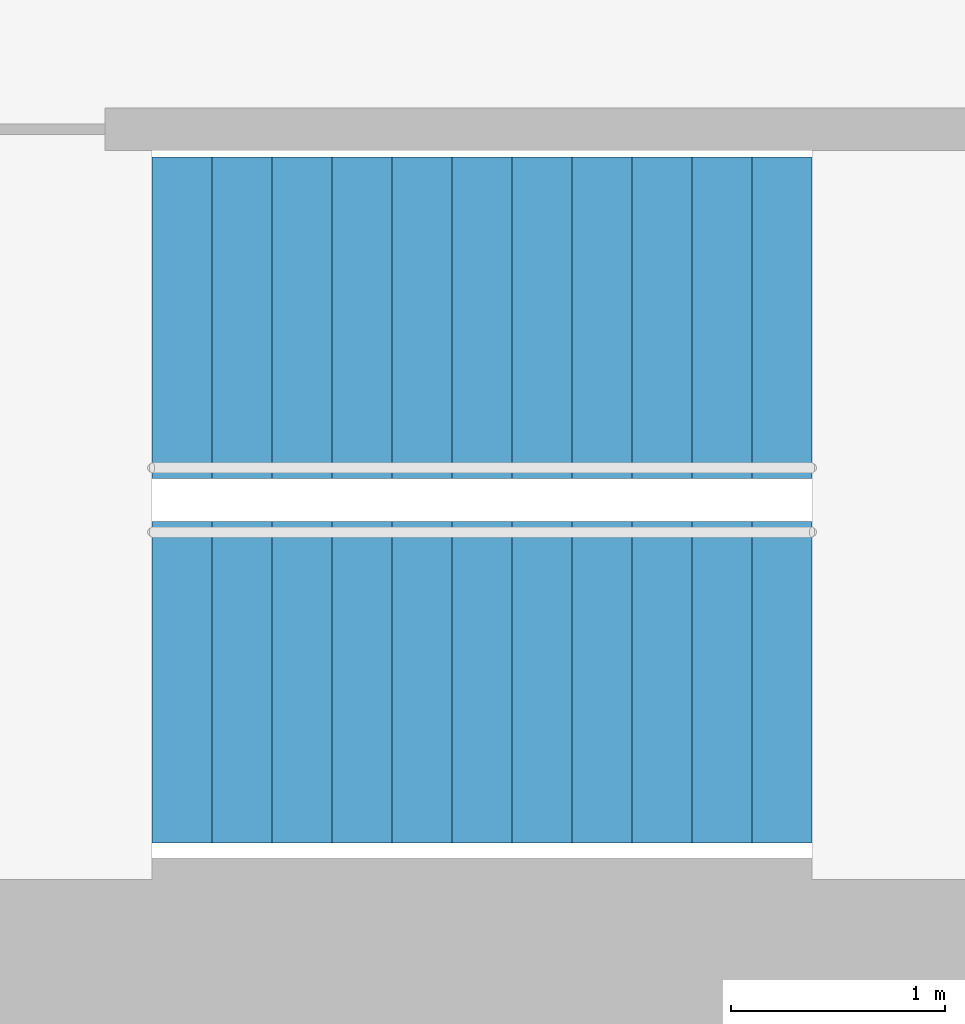
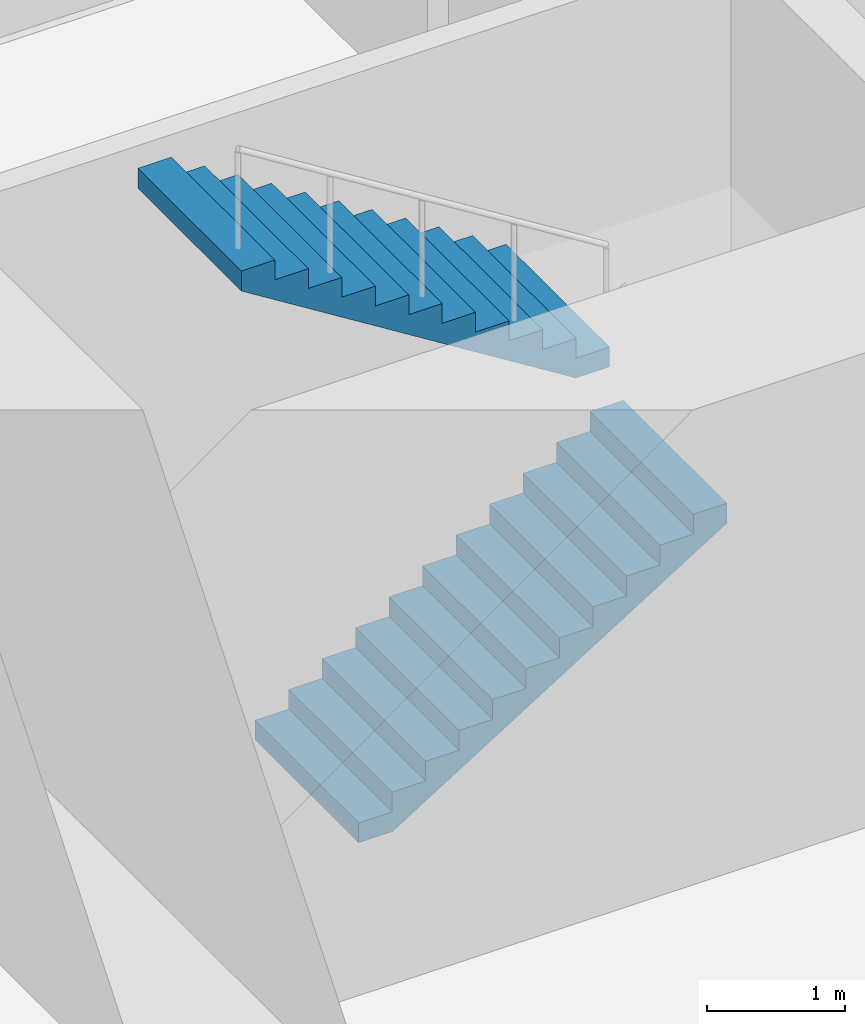
# One storey, part 16 of 18: 2 stair flights, 1 element without a shape of its own.
"""IFC4 building model written with IfcOpenShell, lengths in metres."""

import ifcopenshell
import ifcopenshell.guid

model = None  # the IFC model being written
_history = None  # IfcOwnerHistory: only IFC2X3 demands one
_inside = {}  # id of a spatial element -> (the spatial element, [elements in it])
_under = {}  # id of a project, library or spatial element -> (it, [spatial elements below it])
_declared = {}  # id of a project -> (the project, [libraries it declares])
_typed = {}  # id of a type object -> (the type object, [elements of that type])
_made_of = {}  # id of a material, layer set ... -> (it, [elements and type objects made of it])


def new_model(schema):
    """Start an empty IFC model of exactly this schema.

    Asked for "IFC4X3", IfcOpenShell would pick the latest addendum, in which some entities
    have other attributes; the version numbers below select the first issue.
    IFC2X3 requires an IfcOwnerHistory on every rooted entity: one is made here for all.
    """
    global model, _history
    if schema == "IFC4X3":
        model = ifcopenshell.file(schema_version=(4, 3, 0, 0))
    else:
        model = ifcopenshell.file(schema=schema)
    _inside.clear()
    _under.clear()
    _declared.clear()
    _typed.clear()
    _made_of.clear()
    _history = None
    if model.schema == "IFC2X3":
        org = make("IfcOrganization", Name="unknown")
        user = make(
            "IfcPersonAndOrganization",
            ThePerson=make("IfcPerson", FamilyName="unknown"),
            TheOrganization=org,
        )
        app = make(
            "IfcApplication",
            ApplicationDeveloper=org,
            Version="unknown",
            ApplicationFullName="unknown",
            ApplicationIdentifier="unknown",
        )
        _history = make(
            "IfcOwnerHistory",
            OwningUser=user,
            OwningApplication=app,
            ChangeAction="ADDED",
            CreationDate=0,
        )
    return model


def make(cls, **values):
    """One entity of the class cls with the attributes given. An attribute that is None is left unset."""
    return model.create_entity(
        cls, **{name: value for name, value in values.items() if value is not None}
    )


def rooted(cls, **values):
    """An entity with a GlobalId (a new one), such as an element, a storey or a relation."""
    return make(cls, GlobalId=ifcopenshell.guid.new(), OwnerHistory=_history, **values)


def si_unit(unit_type, name, prefix=None):
    """IfcSIUnit, for example si_unit("LENGTHUNIT", "METRE", prefix="MILLI")."""
    return make("IfcSIUnit", UnitType=unit_type, Prefix=prefix, Name=name)


def assignment(units):
    """IfcUnitAssignment: the units of a project."""
    return None if units is None else make("IfcUnitAssignment", Units=units)


def point(xyz):
    """IfcCartesianPoint."""
    return None if xyz is None else make("IfcCartesianPoint", Coordinates=xyz)


def direction(xyz):
    """IfcDirection."""
    return None if xyz is None else make("IfcDirection", DirectionRatios=xyz)


def frame(location, z_axis=None, x_axis=None):
    """IfcAxis2Placement3D, a coordinate frame: its origin and axes. An axis left out is left unset."""
    return make(
        "IfcAxis2Placement3D",
        Location=point(location),
        Axis=direction(z_axis),
        RefDirection=direction(x_axis),
    )


def origin():
    """The frame at (0, 0, 0) with its axes left unset."""
    return frame((0.0, 0.0, 0.0))


def place(relative_to, where):
    """IfcLocalPlacement: puts the frame where relative to a parent placement (None: the world)."""
    return make(
        "IfcLocalPlacement", PlacementRelTo=relative_to, RelativePlacement=where
    )


def context(
    kind, dimensions, precision=None, world=None, true_north=None, identifier=None
):
    """IfcGeometricRepresentationContext, for example the 3D "Model" context."""
    return make(
        "IfcGeometricRepresentationContext",
        ContextIdentifier=identifier,
        ContextType=kind,
        CoordinateSpaceDimension=dimensions,
        Precision=precision,
        WorldCoordinateSystem=world,
        TrueNorth=true_north,
    )


def subcontext(parent, identifier, kind, view, scale=None):
    """IfcGeometricRepresentationSubContext, for example "Body" below "Model"."""
    return make(
        "IfcGeometricRepresentationSubContext",
        ContextIdentifier=identifier,
        ContextType=kind,
        ParentContext=parent,
        TargetScale=scale,
        TargetView=view,
    )


def project(units=None, contexts=None):
    """IfcProject with its units and contexts."""
    return rooted(
        "IfcProject",
        Name="project",
        RepresentationContexts=contexts,
        UnitsInContext=assignment(units),
    )


def spatial(cls, under=None, at=None, **own):
    """A site, building, storey or space (cls), placed at a placement, below another one or the project."""
    s = rooted(cls, ObjectPlacement=at, **own)
    if under is not None:
        _under.setdefault(under.id(), (under, []))[1].append(s)
    return s


def point_list(points):
    """IfcCartesianPointList2D or 3D."""
    cls = (
        "IfcCartesianPointList2D" if len(points[0]) == 2 else "IfcCartesianPointList3D"
    )
    return make(cls, CoordList=points)


def triangles(points, corners, closed=None, point_numbers=None):
    """IfcTriangulatedFaceSet: each triangle names its three corners, points numbered from 1."""
    return make(
        "IfcTriangulatedFaceSet",
        Coordinates=point_list(points),
        Closed=closed,
        CoordIndex=corners,
        PnIndex=point_numbers,
    )


def shape(context_of_items, identifier, shape_type, items):
    """IfcShapeRepresentation: the items that make up one representation, for example the "Body"."""
    return make(
        "IfcShapeRepresentation",
        ContextOfItems=context_of_items,
        RepresentationIdentifier=identifier,
        RepresentationType=shape_type,
        Items=items,
    )


def material(Name=None, Category=None):
    """IfcMaterial."""
    return make("IfcMaterial", Name=Name, Category=Category)


def made_of(thing, what):
    """Note that an element or type object is made of a material, layer set ...; save() writes the relation."""
    if what is not None:
        _made_of.setdefault(what.id(), (what, []))[1].append(thing)
    return thing


def type_object(cls, material=None, **own):
    """A type object (cls), such as IfcWallType, which elements share."""
    return made_of(rooted(cls, **own), material)


def element(
    cls,
    number,
    at=None,
    inside=None,
    cuts=None,
    type_object=None,
    material=None,
    context=None,
    identifier="Body",
    shape_type=None,
    held_by="IfcProductDefinitionShape",
    body=None,
    shapes=None,
    **own,
):
    """One element of the class cls, such as IfcWall. Its Tag is "e" and its number.

    at: its placement. inside: the storey or other place that contains it. cuts: it is an
    opening in that element (IfcRelVoidsElement). A single representation is given by context,
    identifier, shape_type and body (its items); several are given by shapes. held_by: the class
    of the entity that holds the representations. save() writes the other relations.
    """
    e = rooted(cls, Tag="e%d" % number, ObjectPlacement=at, **own)
    if body is not None:
        shapes = [shape(context, identifier, shape_type, body)]
    if shapes is not None:
        e.Representation = make(held_by, Representations=shapes)
    if inside is not None:
        _inside.setdefault(inside.id(), (inside, []))[1].append(e)
    if cuts is not None:
        rooted(
            "IfcRelVoidsElement", RelatingBuildingElement=cuts, RelatedOpeningElement=e
        )
    if type_object is not None:
        _typed.setdefault(type_object.id(), (type_object, []))[1].append(e)
    return made_of(e, material)


def aggregate(whole, parts):
    """IfcRelAggregates: a whole, such as a stair, and the parts it consists of."""
    return rooted("IfcRelAggregates", RelatingObject=whole, RelatedObjects=parts)


def save(model, path):
    """Write the relations noted so far, then the file.

    IfcRelAggregates (storeys below a building ...), IfcRelContainedInSpatialStructure (elements
    in a storey), IfcRelDefinesByType, IfcRelAssociatesMaterial and IfcRelDeclares: one each for
    every whole, place, type object, material and project.
    """
    for whole, parts in _under.values():
        aggregate(whole, parts)
    for where, things in _inside.values():
        rooted(
            "IfcRelContainedInSpatialStructure",
            RelatedElements=things,
            RelatingStructure=where,
        )
    for kind, things in _typed.values():
        rooted("IfcRelDefinesByType", RelatedObjects=things, RelatingType=kind)
    for what, things in _made_of.values():
        rooted("IfcRelAssociatesMaterial", RelatedObjects=things, RelatingMaterial=what)
    for by, libraries in _declared.values():
        rooted("IfcRelDeclares", RelatingContext=by, RelatedDefinitions=libraries)
    model.write(path)


model = new_model("IFC4")

# Units and contexts
model_context = context("Model", 3, precision=1e-05, world=origin(), true_north=direction((0.0, 1.0)))
body_context = subcontext(model_context, "Body", "Model", "MODEL_VIEW")
ifc_project = project(units=[si_unit("LENGTHUNIT", "METRE"), si_unit("AREAUNIT", "SQUARE_METRE"), si_unit("VOLUMEUNIT", "CUBIC_METRE"), si_unit("PLANEANGLEUNIT", "RADIAN"), si_unit("MASSUNIT", "GRAM", prefix="KILO")], contexts=[model_context])

# Site, building, storey
site_placement = place(None, origin())
site = spatial("IfcSite", under=ifc_project, at=site_placement, CompositionType="ELEMENT")
building_placement = place(site_placement, origin())
building = spatial("IfcBuilding", under=site, at=building_placement, Name="Lantaw Convention Tower", CompositionType="ELEMENT")
storey_placement = place(building_placement, frame((0.0, 0.0, 146.800048828125)))
storey = spatial("IfcBuildingStorey", under=building, at=storey_placement, Name="L34", CompositionType="ELEMENT", Elevation=146.800048828125)

# Stair, stair flights
ifc_material = material(Name="Concrete C35/45", Category="concrete")
stair_type = type_object("IfcStairType", Name="Exit stair 1500 riser 175 in 2 flights", PredefinedType="HALF_TURN_STAIR", material=ifc_material)
stair_placement = place(storey_placement, origin())
stair = element("IfcStair", 1, at=stair_placement, inside=storey, type_object=stair_type, Name="Exit stair S1 L34", PredefinedType="HALF_TURN_STAIR")
stair_flight_type = type_object("IfcStairFlightType", Name="Stair flight 1500 riser 175", PredefinedType="STRAIGHT", material=ifc_material)
stair_flight_1_placement = place(storey_placement, frame((-10.580078125, -5.97998046875, 0.0), z_axis=(0.0, 0.0, 1.0), x_axis=(1.0, 0.0, 0.0)))
stair_flight_1 = element("IfcStairFlight", 2, at=stair_flight_1_placement, type_object=stair_flight_type, Name="S1 flight 1", NumberOfRisers=12, NumberOfTreads=11, PredefinedType="STRAIGHT", RiserHeight=0.175, TreadLength=0.28, context=body_context, shape_type="Tessellation", body=[
    triangles([(0.0, 0.75, 0.0), (0.0, 0.75, 0.175), (0.28, 0.75, 0.0), (0.28, 0.75, 0.175), (0.28, 0.75, 0.35), (0.28283517651771284, 0.75, 0.0), (0.28283517651771284, 0.75, 0.35), (0.56, 0.75, 0.17322801467642948), (0.56, 0.75, 0.35), (0.56, 0.75, 0.5249999999999999), (0.8400000000000001, 0.75, 0.34822801467642944), (0.8400000000000001, 0.75, 0.5249999999999999), (0.8400000000000001, 0.75, 0.7), (1.12, 0.75, 0.5232280146764294), (1.12, 0.75, 0.7), (1.12, 0.75, 0.875), (1.4000000000000001, 0.75, 0.6982280146764295), (1.4000000000000001, 0.75, 0.875), (1.4000000000000001, 0.75, 1.0499999999999998), (1.6800000000000002, 0.75, 0.8732280146764294), (1.6800000000000002, 0.75, 1.0499999999999998), (1.6800000000000002, 0.75, 1.2249999999999999), (1.9600000000000002, 0.75, 1.0482280146764293), (1.9600000000000002, 0.75, 1.2249999999999999), (1.9600000000000002, 0.75, 1.4), (2.24, 0.75, 1.2232280146764294), (2.24, 0.75, 1.4), (2.24, 0.75, 1.575), (2.5200000000000005, 0.75, 1.3982280146764294), (2.5200000000000005, 0.75, 1.575), (2.5200000000000005, 0.75, 1.75), (2.8000000000000003, 0.75, 1.5732280146764293), (2.8000000000000003, 0.75, 1.75), (2.8000000000000003, 0.75, 1.9249999999999998), (3.08, 0.75, 1.7482280146764293), (3.08, 0.75, 1.9249999999999998), (0.0, -0.75, 0.0), (0.0, -0.75, 0.175), (0.28, -0.75, 0.0), (0.28, -0.75, 0.175), (0.28, -0.75, 0.35), (0.28283517651771284, -0.75, 0.0), (0.28283517651771284, -0.75, 0.35), (0.56, -0.75, 0.17322801467642948), (0.56, -0.75, 0.35), (0.56, -0.75, 0.5249999999999999), (0.8400000000000001, -0.75, 0.34822801467642944), (0.8400000000000001, -0.75, 0.5249999999999999), (0.8400000000000001, -0.75, 0.7), (1.12, -0.75, 0.5232280146764294), (1.12, -0.75, 0.7), (1.12, -0.75, 0.875), (1.4000000000000001, -0.75, 0.6982280146764295), (1.4000000000000001, -0.75, 0.875), (1.4000000000000001, -0.75, 1.0499999999999998), (1.6800000000000002, -0.75, 0.8732280146764294), (1.6800000000000002, -0.75, 1.0499999999999998), (1.6800000000000002, -0.75, 1.2249999999999999), (1.9600000000000002, -0.75, 1.0482280146764293), (1.9600000000000002, -0.75, 1.2249999999999999), (1.9600000000000002, -0.75, 1.4), (2.24, -0.75, 1.2232280146764294), (2.24, -0.75, 1.4), (2.24, -0.75, 1.575), (2.5200000000000005, -0.75, 1.3982280146764294), (2.5200000000000005, -0.75, 1.575), (2.5200000000000005, -0.75, 1.75), (2.8000000000000003, -0.75, 1.5732280146764293), (2.8000000000000003, -0.75, 1.75), (2.8000000000000003, -0.75, 1.9249999999999998), (3.08, -0.75, 1.7482280146764293), (3.08, -0.75, 1.9249999999999998), (0.0, 0.15000000000000002, 0.175), (0.0, 0.15000000000000002, 0.0), (0.0, 0.0, 0.175), (0.0, 0.0, 0.0), (0.0, -0.15000000000000002, 0.175), (0.0, -0.15000000000000002, 0.0), (0.28, 0.15000000000000002, 0.35), (0.28, 0.15000000000000002, 0.175), (0.28, 0.0, 0.35), (0.28, 0.0, 0.175), (0.28, -0.15000000000000002, 0.35), (0.28, -0.15000000000000002, 0.175), (0.56, 0.15000000000000002, 0.5249999999999999), (0.56, 0.15000000000000002, 0.35), (0.56, 0.0, 0.5249999999999999), (0.56, 0.0, 0.35), (0.56, -0.15000000000000002, 0.5249999999999999), (0.56, -0.15000000000000002, 0.35), (0.8400000000000001, 0.15000000000000002, 0.7), (0.8400000000000001, 0.15000000000000002, 0.5249999999999999), (0.8400000000000001, 0.0, 0.7), (0.8400000000000001, 0.0, 0.5249999999999999), (0.8400000000000001, -0.15000000000000002, 0.7), (0.8400000000000001, -0.15000000000000002, 0.5249999999999999), (1.12, 0.15000000000000002, 0.875), (1.12, 0.15000000000000002, 0.7), (1.12, 0.0, 0.875), (1.12, 0.0, 0.7), (1.12, -0.15000000000000002, 0.875), (1.12, -0.15000000000000002, 0.7), (1.4000000000000001, 0.15000000000000002, 1.0499999999999998), (1.4000000000000001, 0.15000000000000002, 0.875), (1.4000000000000001, 0.0, 1.0499999999999998), (1.4000000000000001, 0.0, 0.875), (1.4000000000000001, -0.15000000000000002, 1.0499999999999998), (1.4000000000000001, -0.15000000000000002, 0.875), (1.6800000000000002, 0.15000000000000002, 1.2249999999999999), (1.6800000000000002, 0.15000000000000002, 1.0499999999999998), (1.6800000000000002, 0.0, 1.2249999999999999), (1.6800000000000002, 0.0, 1.0499999999999998), (1.6800000000000002, -0.15000000000000002, 1.2249999999999999), (1.6800000000000002, -0.15000000000000002, 1.0499999999999998), (1.9600000000000002, 0.15000000000000002, 1.4), (1.9600000000000002, 0.15000000000000002, 1.2249999999999999), (1.9600000000000002, 0.0, 1.4), (1.9600000000000002, 0.0, 1.2249999999999999), (1.9600000000000002, -0.15000000000000002, 1.4), (1.9600000000000002, -0.15000000000000002, 1.2249999999999999), (2.24, 0.15000000000000002, 1.575), (2.24, 0.15000000000000002, 1.4), (2.24, 0.0, 1.575), (2.24, 0.0, 1.4), (2.24, -0.15000000000000002, 1.575), (2.24, -0.15000000000000002, 1.4), (2.5200000000000005, 0.15000000000000002, 1.75), (2.5200000000000005, 0.15000000000000002, 1.575), (2.5200000000000005, 0.0, 1.75), (2.5200000000000005, 0.0, 1.575), (2.5200000000000005, -0.15000000000000002, 1.75), (2.5200000000000005, -0.15000000000000002, 1.575), (2.8000000000000003, 0.15000000000000002, 1.9249999999999998), (2.8000000000000003, 0.15000000000000002, 1.75), (2.8000000000000003, 0.0, 1.9249999999999998), (2.8000000000000003, 0.0, 1.75), (2.8000000000000003, -0.15000000000000002, 1.9249999999999998), (2.8000000000000003, -0.15000000000000002, 1.75), (0.28283517651771284, 0.15000000000000002, 0.35), (0.28283517651771284, 0.0, 0.35), (0.28283517651771284, -0.15000000000000002, 0.35), (3.08, 0.15000000000000002, 1.9249999999999998), (3.08, 0.0, 1.9249999999999998), (3.08, -0.15000000000000002, 1.9249999999999998), (3.08, 0.15000000000000002, 1.7482280146764293), (3.08, 0.0, 1.7482280146764293), (3.08, -0.15000000000000002, 1.7482280146764293), (2.8000000000000003, 0.15000000000000002, 1.5732280146764293), (2.8000000000000003, 0.0, 1.5732280146764293), (2.8000000000000003, -0.15000000000000002, 1.5732280146764293), (2.5200000000000005, 0.15000000000000002, 1.3982280146764294), (2.5200000000000005, 0.0, 1.3982280146764294), (2.5200000000000005, -0.15000000000000002, 1.3982280146764294), (2.24, 0.15000000000000002, 1.2232280146764294), (2.24, 0.0, 1.2232280146764294), (2.24, -0.15000000000000002, 1.2232280146764294), (1.9600000000000002, 0.15000000000000002, 1.0482280146764293), (1.9600000000000002, 0.0, 1.0482280146764293), (1.9600000000000002, -0.15000000000000002, 1.0482280146764293), (1.6800000000000002, 0.15000000000000002, 0.8732280146764294), (1.6800000000000002, 0.0, 0.8732280146764294), (1.6800000000000002, -0.15000000000000002, 0.8732280146764294), (1.4000000000000001, 0.15000000000000002, 0.6982280146764295), (1.4000000000000001, 0.0, 0.6982280146764295), (1.4000000000000001, -0.15000000000000002, 0.6982280146764295), (1.12, 0.15000000000000002, 0.5232280146764294), (1.12, 0.0, 0.5232280146764294), (1.12, -0.15000000000000002, 0.5232280146764294), (0.8400000000000001, 0.15000000000000002, 0.34822801467642944), (0.8400000000000001, 0.0, 0.34822801467642944), (0.8400000000000001, -0.15000000000000002, 0.34822801467642944), (0.56, 0.15000000000000002, 0.17322801467642948), (0.56, 0.0, 0.17322801467642948), (0.56, -0.15000000000000002, 0.17322801467642948), (0.28283517651771284, 0.15000000000000002, 0.0), (0.28283517651771284, 0.0, 0.0), (0.28283517651771284, -0.15000000000000002, 0.0), (0.28, 0.15000000000000002, 0.0), (0.28, 0.0, 0.0), (0.28, -0.15000000000000002, 0.0)], [[1, 4, 3], [1, 2, 4], [3, 4, 6], [4, 7, 6], [4, 5, 7], [6, 9, 8], [6, 7, 9], [8, 9, 11], [9, 12, 11], [9, 10, 12], [11, 12, 14], [12, 15, 14], [12, 13, 15], [14, 15, 17], [15, 18, 17], [15, 16, 18], [17, 18, 20], [18, 21, 20], [18, 19, 21], [20, 21, 23], [21, 24, 23], [21, 22, 24], [23, 24, 26], [24, 27, 26], [24, 25, 27], [26, 27, 29], [27, 30, 29], [27, 28, 30], [29, 30, 32], [30, 33, 32], [30, 31, 33], [32, 33, 35], [33, 36, 35], [33, 34, 36], [37, 39, 40], [37, 40, 38], [39, 42, 40], [40, 42, 43], [40, 43, 41], [42, 44, 45], [42, 45, 43], [44, 47, 45], [45, 47, 48], [45, 48, 46], [47, 50, 48], [48, 50, 51], [48, 51, 49], [50, 53, 51], [51, 53, 54], [51, 54, 52], [53, 56, 54], [54, 56, 57], [54, 57, 55], [56, 59, 57], [57, 59, 60], [57, 60, 58], [59, 62, 60], [60, 62, 63], [60, 63, 61], [62, 65, 63], [63, 65, 66], [63, 66, 64], [65, 68, 66], [66, 68, 69], [66, 69, 67], [68, 71, 69], [69, 71, 72], [69, 72, 70], [1, 73, 2], [1, 74, 73], [74, 75, 73], [74, 76, 75], [76, 77, 75], [76, 78, 77], [78, 38, 77], [78, 37, 38], [4, 79, 5], [4, 80, 79], [80, 81, 79], [80, 82, 81], [82, 83, 81], [82, 84, 83], [84, 41, 83], [84, 40, 41], [9, 85, 10], [9, 86, 85], [86, 87, 85], [86, 88, 87], [88, 89, 87], [88, 90, 89], [90, 46, 89], [90, 45, 46], [12, 91, 13], [12, 92, 91], [92, 93, 91], [92, 94, 93], [94, 95, 93], [94, 96, 95], [96, 49, 95], [96, 48, 49], [15, 97, 16], [15, 98, 97], [98, 99, 97], [98, 100, 99], [100, 101, 99], [100, 102, 101], [102, 52, 101], [102, 51, 52], [18, 103, 19], [18, 104, 103], [104, 105, 103], [104, 106, 105], [106, 107, 105], [106, 108, 107], [108, 55, 107], [108, 54, 55], [21, 109, 22], [21, 110, 109], [110, 111, 109], [110, 112, 111], [112, 113, 111], [112, 114, 113], [114, 58, 113], [114, 57, 58], [24, 115, 25], [24, 116, 115], [116, 117, 115], [116, 118, 117], [118, 119, 117], [118, 120, 119], [120, 61, 119], [120, 60, 61], [27, 121, 28], [27, 122, 121], [122, 123, 121], [122, 124, 123], [124, 125, 123], [124, 126, 125], [126, 64, 125], [126, 63, 64], [30, 127, 31], [30, 128, 127], [128, 129, 127], [128, 130, 129], [130, 131, 129], [130, 132, 131], [132, 67, 131], [132, 66, 67], [33, 133, 34], [33, 134, 133], [134, 135, 133], [134, 136, 135], [136, 137, 135], [136, 138, 137], [138, 70, 137], [138, 69, 70], [2, 80, 4], [2, 73, 80], [73, 82, 80], [73, 75, 82], [75, 84, 82], [75, 77, 84], [77, 40, 84], [77, 38, 40], [5, 139, 7], [5, 79, 139], [79, 140, 139], [79, 81, 140], [81, 141, 140], [81, 83, 141], [83, 43, 141], [83, 41, 43], [7, 86, 9], [7, 139, 86], [139, 88, 86], [139, 140, 88], [140, 90, 88], [140, 141, 90], [141, 45, 90], [141, 43, 45], [10, 92, 12], [10, 85, 92], [85, 94, 92], [85, 87, 94], [87, 96, 94], [87, 89, 96], [89, 48, 96], [89, 46, 48], [13, 98, 15], [13, 91, 98], [91, 100, 98], [91, 93, 100], [93, 102, 100], [93, 95, 102], [95, 51, 102], [95, 49, 51], [16, 104, 18], [16, 97, 104], [97, 106, 104], [97, 99, 106], [99, 108, 106], [99, 101, 108], [101, 54, 108], [101, 52, 54], [19, 110, 21], [19, 103, 110], [103, 112, 110], [103, 105, 112], [105, 114, 112], [105, 107, 114], [107, 57, 114], [107, 55, 57], [22, 116, 24], [22, 109, 116], [109, 118, 116], [109, 111, 118], [111, 120, 118], [111, 113, 120], [113, 60, 120], [113, 58, 60], [25, 122, 27], [25, 115, 122], [115, 124, 122], [115, 117, 124], [117, 126, 124], [117, 119, 126], [119, 63, 126], [119, 61, 63], [28, 128, 30], [28, 121, 128], [121, 130, 128], [121, 123, 130], [123, 132, 130], [123, 125, 132], [125, 66, 132], [125, 64, 66], [31, 134, 33], [31, 127, 134], [127, 136, 134], [127, 129, 136], [129, 138, 136], [129, 131, 138], [131, 69, 138], [131, 67, 69], [34, 142, 36], [34, 133, 142], [133, 143, 142], [133, 135, 143], [135, 144, 143], [135, 137, 144], [137, 72, 144], [137, 70, 72], [36, 145, 35], [36, 142, 145], [142, 146, 145], [142, 143, 146], [143, 147, 146], [143, 144, 147], [144, 71, 147], [144, 72, 71], [35, 148, 32], [35, 145, 148], [145, 149, 148], [145, 146, 149], [146, 150, 149], [146, 147, 150], [147, 68, 150], [147, 71, 68], [32, 151, 29], [32, 148, 151], [148, 152, 151], [148, 149, 152], [149, 153, 152], [149, 150, 153], [150, 65, 153], [150, 68, 65], [29, 154, 26], [29, 151, 154], [151, 155, 154], [151, 152, 155], [152, 156, 155], [152, 153, 156], [153, 62, 156], [153, 65, 62], [26, 157, 23], [26, 154, 157], [154, 158, 157], [154, 155, 158], [155, 159, 158], [155, 156, 159], [156, 59, 159], [156, 62, 59], [23, 160, 20], [23, 157, 160], [157, 161, 160], [157, 158, 161], [158, 162, 161], [158, 159, 162], [159, 56, 162], [159, 59, 56], [20, 163, 17], [20, 160, 163], [160, 164, 163], [160, 161, 164], [161, 165, 164], [161, 162, 165], [162, 53, 165], [162, 56, 53], [17, 166, 14], [17, 163, 166], [163, 167, 166], [163, 164, 167], [164, 168, 167], [164, 165, 168], [165, 50, 168], [165, 53, 50], [14, 169, 11], [14, 166, 169], [166, 170, 169], [166, 167, 170], [167, 171, 170], [167, 168, 171], [168, 47, 171], [168, 50, 47], [11, 172, 8], [11, 169, 172], [169, 173, 172], [169, 170, 173], [170, 174, 173], [170, 171, 174], [171, 44, 174], [171, 47, 44], [8, 175, 6], [8, 172, 175], [172, 176, 175], [172, 173, 176], [173, 177, 176], [173, 174, 177], [174, 42, 177], [174, 44, 42], [6, 178, 3], [6, 175, 178], [175, 179, 178], [175, 176, 179], [176, 180, 179], [176, 177, 180], [177, 39, 180], [177, 42, 39], [3, 74, 1], [3, 178, 74], [178, 76, 74], [178, 179, 76], [179, 78, 76], [179, 180, 78], [180, 37, 78], [180, 39, 37]], closed=True),
])
stair_flight_2_placement = place(storey_placement, frame((-7.5, -4.280029296875, 2.099853515625), z_axis=(0.0, 0.0, 1.0), x_axis=(-1.0, 0.0, 0.0)))
stair_flight_2 = element("IfcStairFlight", 3, at=stair_flight_2_placement, type_object=stair_flight_type, Name="S1 flight 2", NumberOfRisers=12, NumberOfTreads=11, PredefinedType="STRAIGHT", RiserHeight=0.175, TreadLength=0.28, context=body_context, shape_type="Tessellation", body=[
    triangles([(0.0, 0.75, 0.0), (0.0, 0.75, 0.175), (0.28, 0.75, 0.0), (0.28, 0.75, 0.175), (0.28, 0.75, 0.35), (0.28283517651771284, 0.75, 0.0), (0.28283517651771284, 0.75, 0.35), (0.56, 0.75, 0.17322801467642948), (0.56, 0.75, 0.35), (0.56, 0.75, 0.5249999999999999), (0.8400000000000001, 0.75, 0.34822801467642944), (0.8400000000000001, 0.75, 0.5249999999999999), (0.8400000000000001, 0.75, 0.7), (1.12, 0.75, 0.5232280146764294), (1.12, 0.75, 0.7), (1.12, 0.75, 0.875), (1.4000000000000001, 0.75, 0.6982280146764295), (1.4000000000000001, 0.75, 0.875), (1.4000000000000001, 0.75, 1.0499999999999998), (1.6800000000000002, 0.75, 0.8732280146764294), (1.6800000000000002, 0.75, 1.0499999999999998), (1.6800000000000002, 0.75, 1.2249999999999999), (1.9600000000000002, 0.75, 1.0482280146764293), (1.9600000000000002, 0.75, 1.2249999999999999), (1.9600000000000002, 0.75, 1.4), (2.24, 0.75, 1.2232280146764294), (2.24, 0.75, 1.4), (2.24, 0.75, 1.575), (2.5200000000000005, 0.75, 1.3982280146764294), (2.5200000000000005, 0.75, 1.575), (2.5200000000000005, 0.75, 1.75), (2.8000000000000003, 0.75, 1.5732280146764293), (2.8000000000000003, 0.75, 1.75), (2.8000000000000003, 0.75, 1.9249999999999998), (3.08, 0.75, 1.7482280146764293), (3.08, 0.75, 1.9249999999999998), (0.0, -0.75, 0.0), (0.0, -0.75, 0.175), (0.28, -0.75, 0.0), (0.28, -0.75, 0.175), (0.28, -0.75, 0.35), (0.28283517651771284, -0.75, 0.0), (0.28283517651771284, -0.75, 0.35), (0.56, -0.75, 0.17322801467642948), (0.56, -0.75, 0.35), (0.56, -0.75, 0.5249999999999999), (0.8400000000000001, -0.75, 0.34822801467642944), (0.8400000000000001, -0.75, 0.5249999999999999), (0.8400000000000001, -0.75, 0.7), (1.12, -0.75, 0.5232280146764294), (1.12, -0.75, 0.7), (1.12, -0.75, 0.875), (1.4000000000000001, -0.75, 0.6982280146764295), (1.4000000000000001, -0.75, 0.875), (1.4000000000000001, -0.75, 1.0499999999999998), (1.6800000000000002, -0.75, 0.8732280146764294), (1.6800000000000002, -0.75, 1.0499999999999998), (1.6800000000000002, -0.75, 1.2249999999999999), (1.9600000000000002, -0.75, 1.0482280146764293), (1.9600000000000002, -0.75, 1.2249999999999999), (1.9600000000000002, -0.75, 1.4), (2.24, -0.75, 1.2232280146764294), (2.24, -0.75, 1.4), (2.24, -0.75, 1.575), (2.5200000000000005, -0.75, 1.3982280146764294), (2.5200000000000005, -0.75, 1.575), (2.5200000000000005, -0.75, 1.75), (2.8000000000000003, -0.75, 1.5732280146764293), (2.8000000000000003, -0.75, 1.75), (2.8000000000000003, -0.75, 1.9249999999999998), (3.08, -0.75, 1.7482280146764293), (3.08, -0.75, 1.9249999999999998), (0.0, 0.15000000000000002, 0.175), (0.0, 0.15000000000000002, 0.0), (0.0, 0.0, 0.175), (0.0, 0.0, 0.0), (0.0, -0.15000000000000002, 0.175), (0.0, -0.15000000000000002, 0.0), (0.28, 0.15000000000000002, 0.35), (0.28, 0.15000000000000002, 0.175), (0.28, 0.0, 0.35), (0.28, 0.0, 0.175), (0.28, -0.15000000000000002, 0.35), (0.28, -0.15000000000000002, 0.175), (0.56, 0.15000000000000002, 0.5249999999999999), (0.56, 0.15000000000000002, 0.35), (0.56, 0.0, 0.5249999999999999), (0.56, 0.0, 0.35), (0.56, -0.15000000000000002, 0.5249999999999999), (0.56, -0.15000000000000002, 0.35), (0.8400000000000001, 0.15000000000000002, 0.7), (0.8400000000000001, 0.15000000000000002, 0.5249999999999999), (0.8400000000000001, 0.0, 0.7), (0.8400000000000001, 0.0, 0.5249999999999999), (0.8400000000000001, -0.15000000000000002, 0.7), (0.8400000000000001, -0.15000000000000002, 0.5249999999999999), (1.12, 0.15000000000000002, 0.875), (1.12, 0.15000000000000002, 0.7), (1.12, 0.0, 0.875), (1.12, 0.0, 0.7), (1.12, -0.15000000000000002, 0.875), (1.12, -0.15000000000000002, 0.7), (1.4000000000000001, 0.15000000000000002, 1.0499999999999998), (1.4000000000000001, 0.15000000000000002, 0.875), (1.4000000000000001, 0.0, 1.0499999999999998), (1.4000000000000001, 0.0, 0.875), (1.4000000000000001, -0.15000000000000002, 1.0499999999999998), (1.4000000000000001, -0.15000000000000002, 0.875), (1.6800000000000002, 0.15000000000000002, 1.2249999999999999), (1.6800000000000002, 0.15000000000000002, 1.0499999999999998), (1.6800000000000002, 0.0, 1.2249999999999999), (1.6800000000000002, 0.0, 1.0499999999999998), (1.6800000000000002, -0.15000000000000002, 1.2249999999999999), (1.6800000000000002, -0.15000000000000002, 1.0499999999999998), (1.9600000000000002, 0.15000000000000002, 1.4), (1.9600000000000002, 0.15000000000000002, 1.2249999999999999), (1.9600000000000002, 0.0, 1.4), (1.9600000000000002, 0.0, 1.2249999999999999), (1.9600000000000002, -0.15000000000000002, 1.4), (1.9600000000000002, -0.15000000000000002, 1.2249999999999999), (2.24, 0.15000000000000002, 1.575), (2.24, 0.15000000000000002, 1.4), (2.24, 0.0, 1.575), (2.24, 0.0, 1.4), (2.24, -0.15000000000000002, 1.575), (2.24, -0.15000000000000002, 1.4), (2.5200000000000005, 0.15000000000000002, 1.75), (2.5200000000000005, 0.15000000000000002, 1.575), (2.5200000000000005, 0.0, 1.75), (2.5200000000000005, 0.0, 1.575), (2.5200000000000005, -0.15000000000000002, 1.75), (2.5200000000000005, -0.15000000000000002, 1.575), (2.8000000000000003, 0.15000000000000002, 1.9249999999999998), (2.8000000000000003, 0.15000000000000002, 1.75), (2.8000000000000003, 0.0, 1.9249999999999998), (2.8000000000000003, 0.0, 1.75), (2.8000000000000003, -0.15000000000000002, 1.9249999999999998), (2.8000000000000003, -0.15000000000000002, 1.75), (0.28283517651771284, 0.15000000000000002, 0.35), (0.28283517651771284, 0.0, 0.35), (0.28283517651771284, -0.15000000000000002, 0.35), (3.08, 0.15000000000000002, 1.9249999999999998), (3.08, 0.0, 1.9249999999999998), (3.08, -0.15000000000000002, 1.9249999999999998), (3.08, 0.15000000000000002, 1.7482280146764293), (3.08, 0.0, 1.7482280146764293), (3.08, -0.15000000000000002, 1.7482280146764293), (2.8000000000000003, 0.15000000000000002, 1.5732280146764293), (2.8000000000000003, 0.0, 1.5732280146764293), (2.8000000000000003, -0.15000000000000002, 1.5732280146764293), (2.5200000000000005, 0.15000000000000002, 1.3982280146764294), (2.5200000000000005, 0.0, 1.3982280146764294), (2.5200000000000005, -0.15000000000000002, 1.3982280146764294), (2.24, 0.15000000000000002, 1.2232280146764294), (2.24, 0.0, 1.2232280146764294), (2.24, -0.15000000000000002, 1.2232280146764294), (1.9600000000000002, 0.15000000000000002, 1.0482280146764293), (1.9600000000000002, 0.0, 1.0482280146764293), (1.9600000000000002, -0.15000000000000002, 1.0482280146764293), (1.6800000000000002, 0.15000000000000002, 0.8732280146764294), (1.6800000000000002, 0.0, 0.8732280146764294), (1.6800000000000002, -0.15000000000000002, 0.8732280146764294), (1.4000000000000001, 0.15000000000000002, 0.6982280146764295), (1.4000000000000001, 0.0, 0.6982280146764295), (1.4000000000000001, -0.15000000000000002, 0.6982280146764295), (1.12, 0.15000000000000002, 0.5232280146764294), (1.12, 0.0, 0.5232280146764294), (1.12, -0.15000000000000002, 0.5232280146764294), (0.8400000000000001, 0.15000000000000002, 0.34822801467642944), (0.8400000000000001, 0.0, 0.34822801467642944), (0.8400000000000001, -0.15000000000000002, 0.34822801467642944), (0.56, 0.15000000000000002, 0.17322801467642948), (0.56, 0.0, 0.17322801467642948), (0.56, -0.15000000000000002, 0.17322801467642948), (0.28283517651771284, 0.15000000000000002, 0.0), (0.28283517651771284, 0.0, 0.0), (0.28283517651771284, -0.15000000000000002, 0.0), (0.28, 0.15000000000000002, 0.0), (0.28, 0.0, 0.0), (0.28, -0.15000000000000002, 0.0)], [[1, 4, 3], [1, 2, 4], [3, 4, 6], [4, 7, 6], [4, 5, 7], [6, 9, 8], [6, 7, 9], [8, 9, 11], [9, 12, 11], [9, 10, 12], [11, 12, 14], [12, 15, 14], [12, 13, 15], [14, 15, 17], [15, 18, 17], [15, 16, 18], [17, 18, 20], [18, 21, 20], [18, 19, 21], [20, 21, 23], [21, 24, 23], [21, 22, 24], [23, 24, 26], [24, 27, 26], [24, 25, 27], [26, 27, 29], [27, 30, 29], [27, 28, 30], [29, 30, 32], [30, 33, 32], [30, 31, 33], [32, 33, 35], [33, 36, 35], [33, 34, 36], [37, 39, 40], [37, 40, 38], [39, 42, 40], [40, 42, 43], [40, 43, 41], [42, 44, 45], [42, 45, 43], [44, 47, 45], [45, 47, 48], [45, 48, 46], [47, 50, 48], [48, 50, 51], [48, 51, 49], [50, 53, 51], [51, 53, 54], [51, 54, 52], [53, 56, 54], [54, 56, 57], [54, 57, 55], [56, 59, 57], [57, 59, 60], [57, 60, 58], [59, 62, 60], [60, 62, 63], [60, 63, 61], [62, 65, 63], [63, 65, 66], [63, 66, 64], [65, 68, 66], [66, 68, 69], [66, 69, 67], [68, 71, 69], [69, 71, 72], [69, 72, 70], [1, 73, 2], [1, 74, 73], [74, 75, 73], [74, 76, 75], [76, 77, 75], [76, 78, 77], [78, 38, 77], [78, 37, 38], [4, 79, 5], [4, 80, 79], [80, 81, 79], [80, 82, 81], [82, 83, 81], [82, 84, 83], [84, 41, 83], [84, 40, 41], [9, 85, 10], [9, 86, 85], [86, 87, 85], [86, 88, 87], [88, 89, 87], [88, 90, 89], [90, 46, 89], [90, 45, 46], [12, 91, 13], [12, 92, 91], [92, 93, 91], [92, 94, 93], [94, 95, 93], [94, 96, 95], [96, 49, 95], [96, 48, 49], [15, 97, 16], [15, 98, 97], [98, 99, 97], [98, 100, 99], [100, 101, 99], [100, 102, 101], [102, 52, 101], [102, 51, 52], [18, 103, 19], [18, 104, 103], [104, 105, 103], [104, 106, 105], [106, 107, 105], [106, 108, 107], [108, 55, 107], [108, 54, 55], [21, 109, 22], [21, 110, 109], [110, 111, 109], [110, 112, 111], [112, 113, 111], [112, 114, 113], [114, 58, 113], [114, 57, 58], [24, 115, 25], [24, 116, 115], [116, 117, 115], [116, 118, 117], [118, 119, 117], [118, 120, 119], [120, 61, 119], [120, 60, 61], [27, 121, 28], [27, 122, 121], [122, 123, 121], [122, 124, 123], [124, 125, 123], [124, 126, 125], [126, 64, 125], [126, 63, 64], [30, 127, 31], [30, 128, 127], [128, 129, 127], [128, 130, 129], [130, 131, 129], [130, 132, 131], [132, 67, 131], [132, 66, 67], [33, 133, 34], [33, 134, 133], [134, 135, 133], [134, 136, 135], [136, 137, 135], [136, 138, 137], [138, 70, 137], [138, 69, 70], [2, 80, 4], [2, 73, 80], [73, 82, 80], [73, 75, 82], [75, 84, 82], [75, 77, 84], [77, 40, 84], [77, 38, 40], [5, 139, 7], [5, 79, 139], [79, 140, 139], [79, 81, 140], [81, 141, 140], [81, 83, 141], [83, 43, 141], [83, 41, 43], [7, 86, 9], [7, 139, 86], [139, 88, 86], [139, 140, 88], [140, 90, 88], [140, 141, 90], [141, 45, 90], [141, 43, 45], [10, 92, 12], [10, 85, 92], [85, 94, 92], [85, 87, 94], [87, 96, 94], [87, 89, 96], [89, 48, 96], [89, 46, 48], [13, 98, 15], [13, 91, 98], [91, 100, 98], [91, 93, 100], [93, 102, 100], [93, 95, 102], [95, 51, 102], [95, 49, 51], [16, 104, 18], [16, 97, 104], [97, 106, 104], [97, 99, 106], [99, 108, 106], [99, 101, 108], [101, 54, 108], [101, 52, 54], [19, 110, 21], [19, 103, 110], [103, 112, 110], [103, 105, 112], [105, 114, 112], [105, 107, 114], [107, 57, 114], [107, 55, 57], [22, 116, 24], [22, 109, 116], [109, 118, 116], [109, 111, 118], [111, 120, 118], [111, 113, 120], [113, 60, 120], [113, 58, 60], [25, 122, 27], [25, 115, 122], [115, 124, 122], [115, 117, 124], [117, 126, 124], [117, 119, 126], [119, 63, 126], [119, 61, 63], [28, 128, 30], [28, 121, 128], [121, 130, 128], [121, 123, 130], [123, 132, 130], [123, 125, 132], [125, 66, 132], [125, 64, 66], [31, 134, 33], [31, 127, 134], [127, 136, 134], [127, 129, 136], [129, 138, 136], [129, 131, 138], [131, 69, 138], [131, 67, 69], [34, 142, 36], [34, 133, 142], [133, 143, 142], [133, 135, 143], [135, 144, 143], [135, 137, 144], [137, 72, 144], [137, 70, 72], [36, 145, 35], [36, 142, 145], [142, 146, 145], [142, 143, 146], [143, 147, 146], [143, 144, 147], [144, 71, 147], [144, 72, 71], [35, 148, 32], [35, 145, 148], [145, 149, 148], [145, 146, 149], [146, 150, 149], [146, 147, 150], [147, 68, 150], [147, 71, 68], [32, 151, 29], [32, 148, 151], [148, 152, 151], [148, 149, 152], [149, 153, 152], [149, 150, 153], [150, 65, 153], [150, 68, 65], [29, 154, 26], [29, 151, 154], [151, 155, 154], [151, 152, 155], [152, 156, 155], [152, 153, 156], [153, 62, 156], [153, 65, 62], [26, 157, 23], [26, 154, 157], [154, 158, 157], [154, 155, 158], [155, 159, 158], [155, 156, 159], [156, 59, 159], [156, 62, 59], [23, 160, 20], [23, 157, 160], [157, 161, 160], [157, 158, 161], [158, 162, 161], [158, 159, 162], [159, 56, 162], [159, 59, 56], [20, 163, 17], [20, 160, 163], [160, 164, 163], [160, 161, 164], [161, 165, 164], [161, 162, 165], [162, 53, 165], [162, 56, 53], [17, 166, 14], [17, 163, 166], [163, 167, 166], [163, 164, 167], [164, 168, 167], [164, 165, 168], [165, 50, 168], [165, 53, 50], [14, 169, 11], [14, 166, 169], [166, 170, 169], [166, 167, 170], [167, 171, 170], [167, 168, 171], [168, 47, 171], [168, 50, 47], [11, 172, 8], [11, 169, 172], [169, 173, 172], [169, 170, 173], [170, 174, 173], [170, 171, 174], [171, 44, 174], [171, 47, 44], [8, 175, 6], [8, 172, 175], [172, 176, 175], [172, 173, 176], [173, 177, 176], [173, 174, 177], [174, 42, 177], [174, 44, 42], [6, 178, 3], [6, 175, 178], [175, 179, 178], [175, 176, 179], [176, 180, 179], [176, 177, 180], [177, 39, 180], [177, 42, 39], [3, 74, 1], [3, 178, 74], [178, 76, 74], [178, 179, 76], [179, 78, 76], [179, 180, 78], [180, 37, 78], [180, 39, 37]], closed=True),
])
aggregate(stair, [stair_flight_1, stair_flight_2])

save(model, "model.ifc")
